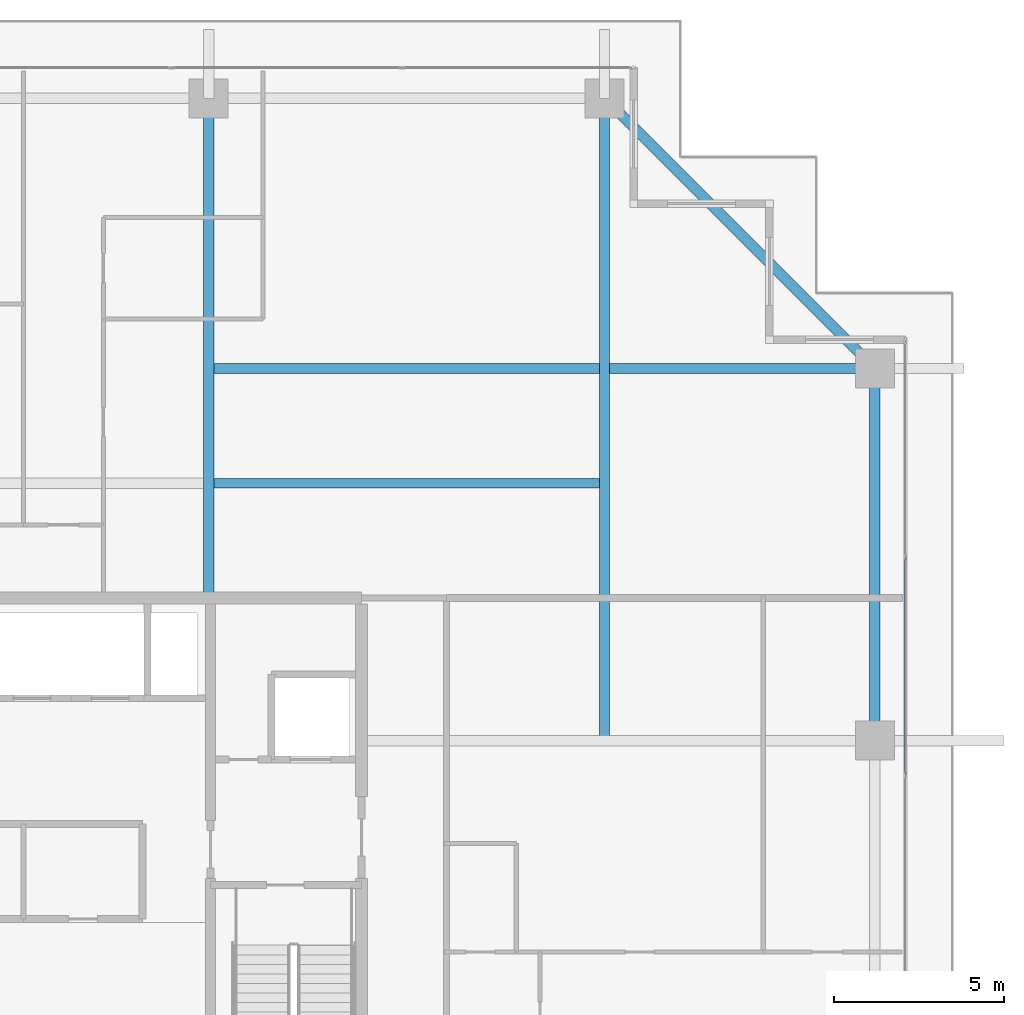
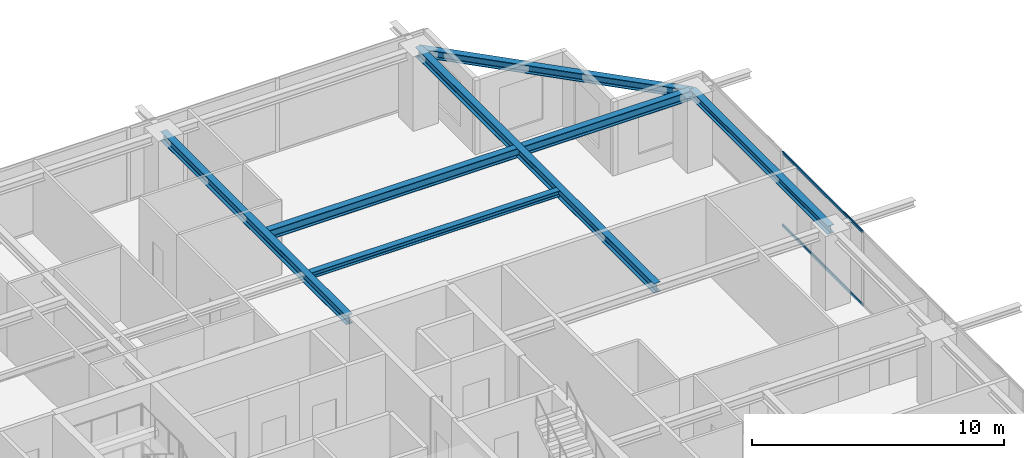
# One storey, part 21 of 36: 6 beams, 2 members, 1 element without a shape of its own.
"""IFC4 building model written with IfcOpenShell, lengths in metres."""

from ifc_helpers import new_model, si_unit, direction, frame, origin, origin_2d, place, context, subcontext, project, spatial, hollow_rectangle, i_section, extrude, source, transform, mapped, material, layer, layer_set, material_profile, profile_set, type_object, element, aggregate, save


model = new_model("IFC4")

# Units and contexts
model_context = context("Model", 3, precision=1e-05, world=origin(), true_north=direction((0.0, 1.0)))
body_context = subcontext(model_context, "Body", "Model", "MODEL_VIEW")
ifc_project = project(units=[si_unit("LENGTHUNIT", "METRE"), si_unit("AREAUNIT", "SQUARE_METRE"), si_unit("VOLUMEUNIT", "CUBIC_METRE"), si_unit("PLANEANGLEUNIT", "RADIAN"), si_unit("MASSUNIT", "GRAM", prefix="KILO")], contexts=[model_context])

# Site, building, storey
site_placement = place(None, origin())
site = spatial("IfcSite", under=ifc_project, at=site_placement, CompositionType="ELEMENT")
building_placement = place(site_placement, origin())
building = spatial("IfcBuilding", under=site, at=building_placement, Name="Serunith Strait Residences", CompositionType="ELEMENT")
storey_placement = place(building_placement, frame((0.0, 0.0, 225.85009765625)))
storey = spatial("IfcBuildingStorey", under=building, at=storey_placement, Name="L56", CompositionType="ELEMENT", Elevation=225.85009765625)

# Beams
ifc_material_1 = material(Name="Steel S355J2", Category="steel")
ifc_material_profile_1 = material_profile(ifc_material_1, i_section(OverallWidth=0.300048828125, OverallDepth=0.449951171875, WebThickness=0.013916015625, FlangeThickness=0.02587890625, FilletRadius=0.027099609375, at=origin_2d()), Name="HEB 450")
ifc_profile_set_1 = profile_set([ifc_material_profile_1], Name="Steel S355J2")
beam_type_1 = type_object("IfcBeamType", Name="BM-HEB450", PredefinedType="BEAM", material=ifc_profile_set_1)
shared_shape_1 = source(origin(), body_context, "Body", "SweptSolid", [
    extrude(i_section(OverallWidth=0.300048828125, OverallDepth=0.449951171875, WebThickness=0.013916015625, FlangeThickness=0.02587890625, FilletRadius=0.027099609375, at=origin_2d()), origin(), (0.0, 0.0, 1.0), 14.699951171875),
])
beam_1_placement = place(storey_placement, frame((36.89990234375, 33.60009765625, 3.36181640625), z_axis=(0.0, 1.0, 0.0), x_axis=(-1.0, 0.0, 0.0)))
element("IfcBeam", 1, at=beam_1_placement, inside=storey, type_object=beam_type_1, Name="L56 Primary Floor Girder TC-N3", PredefinedType="BEAM", context=body_context, shape_type="MappedRepresentation", body=[
    mapped(shared_shape_1, transform((0.0, 0.0, 0.0), scale=1.0)),
])
shared_shape_2 = source(origin(), body_context, "Body", "SweptSolid", [
    extrude(i_section(OverallWidth=0.300048828125, OverallDepth=0.449951171875, WebThickness=0.013916015625, FlangeThickness=0.02587890625, FilletRadius=0.027099609375, at=origin_2d()), origin(), (0.0, 0.0, 1.0), 18.900146484375),
])
beam_2_placement = place(storey_placement, frame((48.550048828125, 29.39990234375, 3.36181640625), z_axis=(0.0, 1.0, 0.0), x_axis=(-1.0, 0.0, 0.0)))
element("IfcBeam", 2, at=beam_2_placement, inside=storey, type_object=beam_type_1, Name="L56 Orthogonal Corner Girder TC-N4", PredefinedType="BEAM", context=body_context, shape_type="MappedRepresentation", body=[
    mapped(shared_shape_2, transform((0.0, 0.0, 0.0), scale=1.0)),
])
shared_shape_3 = source(origin(), body_context, "Body", "SweptSolid", [
    extrude(i_section(OverallWidth=0.300048828125, OverallDepth=0.449951171875, WebThickness=0.013916015625, FlangeThickness=0.02587890625, FilletRadius=0.027099609375, at=origin_2d()), origin(), (0.0, 0.0, 1.0), 19.60009765625),
])
beam_3_placement = place(storey_placement, frame((36.89990234375, 40.35009765625, 3.36181640625), z_axis=(1.0, 0.0, 0.0), x_axis=(0.0, 1.0, 0.0)))
element("IfcBeam", 3, at=beam_3_placement, inside=storey, type_object=beam_type_1, Name="L56 Orthogonal Corner Girder TC-E4", PredefinedType="BEAM", context=body_context, shape_type="MappedRepresentation", body=[
    mapped(shared_shape_3, transform((0.0, 0.0, 0.0), scale=1.0)),
])
ifc_material_profile_2 = material_profile(ifc_material_1, i_section(OverallWidth=0.300048828125, OverallDepth=0.39990234375, WebThickness=0.013427734375, FlangeThickness=0.02392578125, FilletRadius=0.027099609375, at=origin_2d()), Name="HEB 400")
ifc_profile_set_2 = profile_set([ifc_material_profile_2], Name="Steel S355J2")
beam_type_2 = type_object("IfcBeamType", Name="BM-HEB400", PredefinedType="BEAM", material=ifc_profile_set_2)
shared_shape_4 = source(origin(), body_context, "Body", "SweptSolid", [
    extrude(i_section(OverallWidth=0.300048828125, OverallDepth=0.39990234375, WebThickness=0.013427734375, FlangeThickness=0.02392578125, FilletRadius=0.027099609375, at=origin_2d()), origin(), (0.0, 0.0, 1.0), 11.242919921875),
])
beam_4_placement = place(storey_placement, frame((56.5, 40.35009765625, 3.35693359375), z_axis=(-0.707106781187, 0.707106781187, 0.0), x_axis=(-0.707106781187, -0.707106781187, 0.0)))
element("IfcBeam", 4, at=beam_4_placement, inside=storey, type_object=beam_type_2, Name="L56 Perimeter Ring Beam 08", PredefinedType="BEAM", context=body_context, shape_type="MappedRepresentation", body=[
    mapped(shared_shape_4, transform((0.0, 0.0, 0.0), scale=1.0)),
])
shared_shape_5 = source(origin(), body_context, "Body", "SweptSolid", [
    extrude(i_section(OverallWidth=0.300048828125, OverallDepth=0.39990234375, WebThickness=0.013427734375, FlangeThickness=0.02392578125, FilletRadius=0.027099609375, at=origin_2d()), origin(), (0.0, 0.0, 1.0), 10.9501953125),
])
beam_5_placement = place(storey_placement, frame((56.5, 29.39990234375, 3.386962890625), z_axis=(0.0, 1.0, 0.0), x_axis=(-1.0, 0.0, 0.0)))
element("IfcBeam", 5, at=beam_5_placement, inside=storey, type_object=beam_type_2, Name="L56 Perimeter Ring Beam 07", PredefinedType="BEAM", context=body_context, shape_type="MappedRepresentation", body=[
    mapped(shared_shape_5, transform((0.0, 0.0, 0.0), scale=1.0)),
])
ifc_material_profile_3 = material_profile(ifc_material_1, i_section(OverallWidth=0.280029296875, OverallDepth=0.280029296875, WebThickness=0.010498046875, FlangeThickness=0.01806640625, FilletRadius=0.02392578125, at=origin_2d()), Name="HEB 280")
ifc_profile_set_3 = profile_set([ifc_material_profile_3], Name="Steel S355J2")
beam_type_3 = type_object("IfcBeamType", Name="BM-HEB280", PredefinedType="JOIST", material=ifc_profile_set_3)
shared_shape_6 = source(origin(), body_context, "Body", "SweptSolid", [
    extrude(i_section(OverallWidth=0.280029296875, OverallDepth=0.280029296875, WebThickness=0.010498046875, FlangeThickness=0.01806640625, FilletRadius=0.02392578125, at=origin_2d()), origin(), (0.0, 0.0, 1.0), 11.349853515625),
])
beam_6_placement = place(storey_placement, frame((37.050048828125, 36.97509765625, 3.447021484375), z_axis=(1.0, 0.0, 0.0), x_axis=(0.0, 1.0, 0.0)))
element("IfcBeam", 6, at=beam_6_placement, inside=storey, type_object=beam_type_3, Name="L56 Composite Floor Joist 06", PredefinedType="JOIST", context=body_context, shape_type="MappedRepresentation", body=[
    mapped(shared_shape_6, transform((0.0, 0.0, 0.0), scale=1.0)),
])

# Curtain wall, members
ifc_material_2 = material(Name="Pale-Champagne Anodised Aluminium", Category="aluminium")
ifc_layer = layer(ifc_material_2, 0.199951171875, Name="Pale-Champagne Anodised Aluminium")
ifc_layer_set = layer_set([ifc_layer], Name="Pale-Champagne Anodised Aluminium")
curtain_wall_type = type_object("IfcCurtainWallType", Name="CW-SYS4", PredefinedType="NOTDEFINED", material=ifc_layer_set)
curtain_wall_placement = place(storey_placement, origin())
curtain_wall = element("IfcCurtainWall", 7, at=curtain_wall_placement, inside=storey, type_object=curtain_wall_type, Name="L56 E Unitised Fritted Curtain Wall", PredefinedType="NOTDEFINED")
ifc_material_profile_4 = material_profile(ifc_material_2, hollow_rectangle(XDim=0.06005859375, YDim=0.139892578125, WallThickness=0.00341796875, InnerFilletRadius=0.00537109375, OuterFilletRadius=0.0087890625, at=origin_2d()), Name="ALU 140x60x3.5")
ifc_profile_set_4 = profile_set([ifc_material_profile_4], Name="Pale-Champagne Anodised Aluminium")
member_type = type_object("IfcMemberType", Name="CW-SYS4-TRAN", PredefinedType="USERDEFINED", material=ifc_profile_set_4)
shared_shape_7 = source(origin(), body_context, "Body", "SweptSolid", [
    extrude(hollow_rectangle(XDim=0.06005859375, YDim=0.139892578125, WallThickness=0.00341796875, InnerFilletRadius=0.00537109375, OuterFilletRadius=0.0087890625, at=origin_2d()), origin(), (0.0, 0.0, 1.0), 6.3349609375),
])
member_1_placement = place(storey_placement, frame((57.39990234375, 28.4326171875, 0.02978515625), z_axis=(0.0, 1.0, 0.0), x_axis=(-1.0, 0.0, 0.0)))
member_1 = element("IfcMember", 8, at=member_1_placement, type_object=member_type, Name="CW-4 transom 4.1", ObjectType="TRANSOM", PredefinedType="USERDEFINED", context=body_context, shape_type="MappedRepresentation", body=[
    mapped(shared_shape_7, transform((0.0, 0.0, 0.0), scale=1.0)),
])
member_2_placement = place(storey_placement, frame((57.39990234375, 28.4326171875, 3.544921875), z_axis=(0.0, 1.0, 0.0), x_axis=(-1.0, 0.0, 0.0)))
member_2 = element("IfcMember", 9, at=member_2_placement, type_object=member_type, Name="CW-4 transom 4.2", ObjectType="TRANSOM", PredefinedType="USERDEFINED", context=body_context, shape_type="MappedRepresentation", body=[
    mapped(shared_shape_7, transform((0.0, 0.0, 0.0), scale=1.0)),
])
aggregate(curtain_wall, [member_1, member_2])

save(model, "model.ifc")
